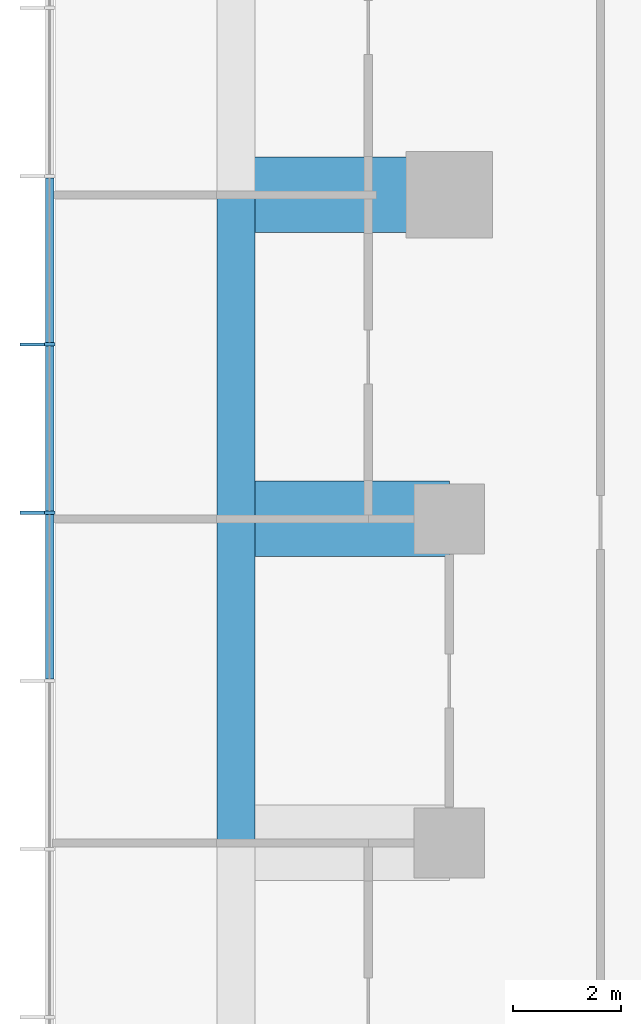
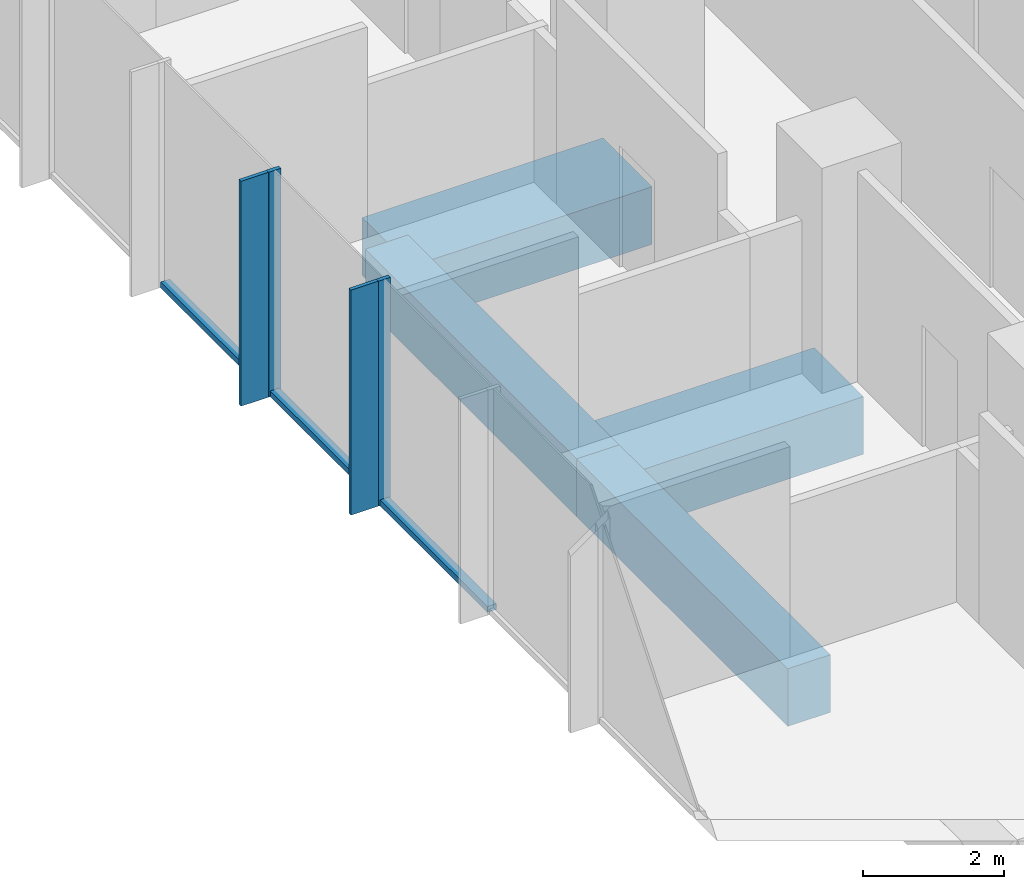
# One storey, part 3 of 11: 7 members, 4 beams, 1 element without a shape of its own.
"""IFC4 building model written with IfcOpenShell, lengths in metres."""

from ifc_helpers import new_model, si_unit, direction, frame, origin, origin_2d, place, context, subcontext, project, spatial, rectangle, extrude, material, layer, layer_set, material_profile, profile_set, type_object, element, aggregate, save


model = new_model("IFC4")

# Units and contexts
model_context = context("Model", 3, precision=1e-05, world=origin(), true_north=direction((0.0, 1.0)))
body_context = subcontext(model_context, "Body", "Model", "MODEL_VIEW")
ifc_project = project(units=[si_unit("LENGTHUNIT", "METRE"), si_unit("AREAUNIT", "SQUARE_METRE"), si_unit("VOLUMEUNIT", "CUBIC_METRE"), si_unit("PLANEANGLEUNIT", "RADIAN"), si_unit("MASSUNIT", "GRAM", prefix="KILO")], contexts=[model_context])

# Site, building, storey
site_placement = place(None, origin())
site = spatial("IfcSite", under=ifc_project, at=site_placement, CompositionType="ELEMENT")
building_placement = place(site_placement, origin())
building = spatial("IfcBuilding", under=site, at=building_placement, Name="Highveld Stack Headquarters", CompositionType="ELEMENT")
storey_placement = place(building_placement, frame((0.0, 0.0, 196.699951171875)))
storey = spatial("IfcBuildingStorey", under=building, at=storey_placement, Name="L48", CompositionType="ELEMENT", Elevation=196.699951171875)

# Beams
ifc_material_1 = material(Name="Concrete C60/75", Category="concrete")
ifc_material_profile_1 = material_profile(ifc_material_1, rectangle(XDim=1.39990234375, YDim=1.0, at=origin_2d()), Name="RC 1400x1000")
ifc_profile_set_1 = profile_set([ifc_material_profile_1], Name="Concrete C60/75")
beam_type_1 = type_object("IfcBeamType", Name="CANTILEVER RIB RC 1400x1000", PredefinedType="USERDEFINED", material=ifc_profile_set_1)
for number, where, z_axis, x_axis, name in (
    (1, (-12.0, 12.0, -0.75), (-1.0, 0.0, 0.0), (0.0, -1.0, 0.0), "Cantilever rib 4/G L48"),
    (2, (-12.0, 18.0, -0.75), (-1.0, 0.0, 0.0), (0.0, -1.0, 0.0), "Cantilever rib 4/H L48"),
):
    element("IfcBeam", number, at=place(storey_placement, frame(where, z_axis=z_axis, x_axis=x_axis)), inside=storey, type_object=beam_type_1, Name=name, ObjectType="CANTILEVER RIB", PredefinedType="USERDEFINED", context=body_context, shape_type="SweptSolid", body=[
        extrude(rectangle(XDim=1.39990234375, YDim=1.0, at=origin_2d()), origin(), (0.0, 0.0, 1.0), 3.949951171875),
    ])

# Curtain wall, members
ifc_material_2 = material(Name="Aluminium bronze anodised", Category="aluminium")
ifc_layer = layer(ifc_material_2, 0.199951171875)
ifc_layer_set = layer_set([ifc_layer], Name="Aluminium bronze anodised")
curtain_wall_type = type_object("IfcCurtainWallType", Name="CW1 TOWER UNITISED CURTAIN WALL", PredefinedType="NOTDEFINED", material=ifc_layer_set)
curtain_wall_placement = place(storey_placement, origin())
curtain_wall = element("IfcCurtainWall", 3, at=curtain_wall_placement, inside=storey, type_object=curtain_wall_type, Name="Curtain wall CW1 L48 W", PredefinedType="NOTDEFINED")
ifc_material_3 = material(Name="Aluminium bronze anodised", Category="aluminium")
ifc_material_profile_2 = material_profile(ifc_material_3, rectangle(XDim=0.449951171875, YDim=0.06005859375, at=origin_2d()), Name="FIN 450x60")
ifc_profile_set_2 = profile_set([ifc_material_profile_2], Name="Aluminium bronze anodised")
member_type_1 = type_object("IfcMemberType", Name="CW1 BRONZE FIN 450x60", PredefinedType="USERDEFINED", material=ifc_profile_set_2)
member_1_placement = place(storey_placement, frame((-19.72509765625, 15.23193359375, 0.0), z_axis=(0.0, 0.0, 1.0), x_axis=(1.0, 0.0, 0.0)))
member_1 = element("IfcMember", 4, at=member_1_placement, type_object=member_type_1, Name="CW1 fin L48 4", ObjectType="FIN", PredefinedType="USERDEFINED", context=body_context, shape_type="SweptSolid", body=[
    extrude(rectangle(XDim=0.449951171875, YDim=0.06005859375, at=origin_2d()), origin(), (0.0, 0.0, 1.0), 3.900146484375),
])
member_2_placement = place(storey_placement, frame((-19.72509765625, 12.115966796875, 0.0), z_axis=(0.0, 0.0, 1.0), x_axis=(1.0, 0.0, 0.0)))
member_2 = element("IfcMember", 5, at=member_2_placement, type_object=member_type_1, Name="CW1 fin L48 5", ObjectType="FIN", PredefinedType="USERDEFINED", context=body_context, shape_type="SweptSolid", body=[
    extrude(rectangle(XDim=0.449951171875, YDim=0.06005859375, at=origin_2d()), origin(), (0.0, 0.0, 1.0), 3.900146484375),
])
ifc_material_4 = material(Name="Aluminium bronze anodised", Category="aluminium")
ifc_material_profile_3 = material_profile(ifc_material_4, rectangle(XDim=0.199951171875, YDim=0.06494140625, at=origin_2d()), Name="CW1 MULLION 65x200")
ifc_profile_set_3 = profile_set([ifc_material_profile_3], Name="Aluminium bronze anodised")
member_type_2 = type_object("IfcMemberType", Name="CW1 MULLION 65x200", PredefinedType="MULLION", material=ifc_profile_set_3)
member_3_placement = place(storey_placement, frame((-19.39990234375, 15.23193359375, 0.0), z_axis=(0.0, 0.0, 1.0), x_axis=(1.0, 0.0, 0.0)))
member_3 = element("IfcMember", 6, at=member_3_placement, type_object=member_type_2, Name="CW1 mullion L48 4", PredefinedType="MULLION", context=body_context, shape_type="SweptSolid", body=[
    extrude(rectangle(XDim=0.199951171875, YDim=0.06494140625, at=origin_2d()), origin(), (0.0, 0.0, 1.0), 3.900146484375),
])
member_4_placement = place(storey_placement, frame((-19.39990234375, 12.115966796875, 0.0), z_axis=(0.0, 0.0, 1.0), x_axis=(1.0, 0.0, 0.0)))
member_4 = element("IfcMember", 7, at=member_4_placement, type_object=member_type_2, Name="CW1 mullion L48 5", PredefinedType="MULLION", context=body_context, shape_type="SweptSolid", body=[
    extrude(rectangle(XDim=0.199951171875, YDim=0.06494140625, at=origin_2d()), origin(), (0.0, 0.0, 1.0), 3.900146484375),
])
ifc_material_5 = material(Name="Aluminium bronze anodised", Category="aluminium")
ifc_material_profile_4 = material_profile(ifc_material_5, rectangle(XDim=0.14990234375, YDim=0.10009765625, at=origin_2d()), Name="CW1 TRANSOM 150x100")
ifc_profile_set_4 = profile_set([ifc_material_profile_4], Name="Aluminium bronze anodised")
member_type_3 = type_object("IfcMemberType", Name="CW1 STACK TRANSOM 150x100", PredefinedType="USERDEFINED", material=ifc_profile_set_4)
member_5_placement = place(storey_placement, frame((-19.39990234375, 18.3154296875, 0.050048828125), z_axis=(0.0, -1.0, 0.0), x_axis=(1.0, 0.0, 0.0)))
member_5 = element("IfcMember", 8, at=member_5_placement, type_object=member_type_3, Name="CW1 transom L48 3.1", ObjectType="TRANSOM", PredefinedType="USERDEFINED", context=body_context, shape_type="SweptSolid", body=[
    extrude(rectangle(XDim=0.14990234375, YDim=0.10009765625, at=origin_2d()), origin(), (0.0, 0.0, 1.0), 3.051025390625),
])
member_6_placement = place(storey_placement, frame((-19.39990234375, 15.199462890625, 0.050048828125), z_axis=(0.0, -1.0, 0.0), x_axis=(1.0, 0.0, 0.0)))
member_6 = element("IfcMember", 9, at=member_6_placement, type_object=member_type_3, Name="CW1 transom L48 4.1", ObjectType="TRANSOM", PredefinedType="USERDEFINED", context=body_context, shape_type="SweptSolid", body=[
    extrude(rectangle(XDim=0.14990234375, YDim=0.10009765625, at=origin_2d()), origin(), (0.0, 0.0, 1.0), 3.051025390625),
])
member_7_placement = place(storey_placement, frame((-19.39990234375, 12.08349609375, 0.050048828125), z_axis=(0.0, -1.0, 0.0), x_axis=(1.0, 0.0, 0.0)))
member_7 = element("IfcMember", 10, at=member_7_placement, type_object=member_type_3, Name="CW1 transom L48 5.1", ObjectType="TRANSOM", PredefinedType="USERDEFINED", context=body_context, shape_type="SweptSolid", body=[
    extrude(rectangle(XDim=0.14990234375, YDim=0.10009765625, at=origin_2d()), origin(), (0.0, 0.0, 1.0), 3.051025390625),
])
aggregate(curtain_wall, [member_3, member_1, member_4, member_2, member_5, member_6, member_7])

# Beams
ifc_material_6 = material(Name="Concrete C60/75", Category="concrete")
ifc_material_profile_5 = material_profile(ifc_material_6, rectangle(XDim=0.699951171875, YDim=1.0, at=origin_2d()), Name="RC 700x1000")
ifc_profile_set_5 = profile_set([ifc_material_profile_5], Name="Concrete C60/75")
beam_type_2 = type_object("IfcBeamType", Name="RIB TIP BEAM RC 700x1000", PredefinedType="SPANDREL", material=ifc_profile_set_5)
for number, where, z_axis, x_axis, name in (
    (11, (-15.949951171875, 6.0, -0.75), (0.0, 1.0, 0.0), (-1.0, 0.0, 0.0), "Rib tip beam 4/F to 4/G L48"),
    (12, (-15.949951171875, 12.0, -0.75), (0.0, 1.0, 0.0), (-1.0, 0.0, 0.0), "Rib tip beam 4/G to 4/H L48"),
):
    element("IfcBeam", number, at=place(storey_placement, frame(where, z_axis=z_axis, x_axis=x_axis)), inside=storey, type_object=beam_type_2, Name=name, PredefinedType="SPANDREL", context=body_context, shape_type="SweptSolid", body=[
        extrude(rectangle(XDim=0.699951171875, YDim=1.0, at=origin_2d()), origin(), (0.0, 0.0, 1.0), 6.0),
    ])

save(model, "model.ifc")
